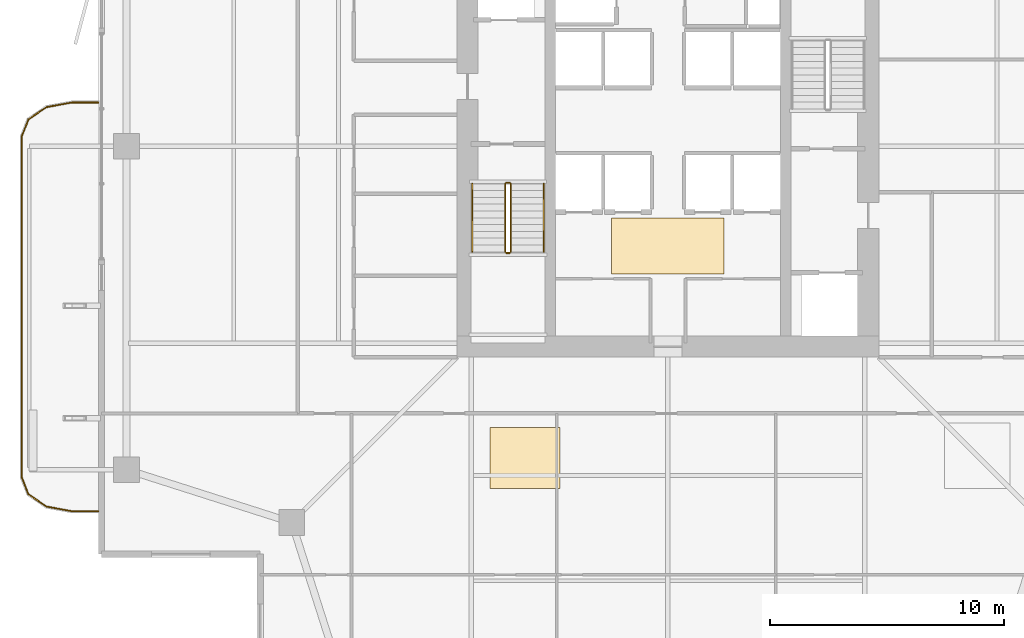
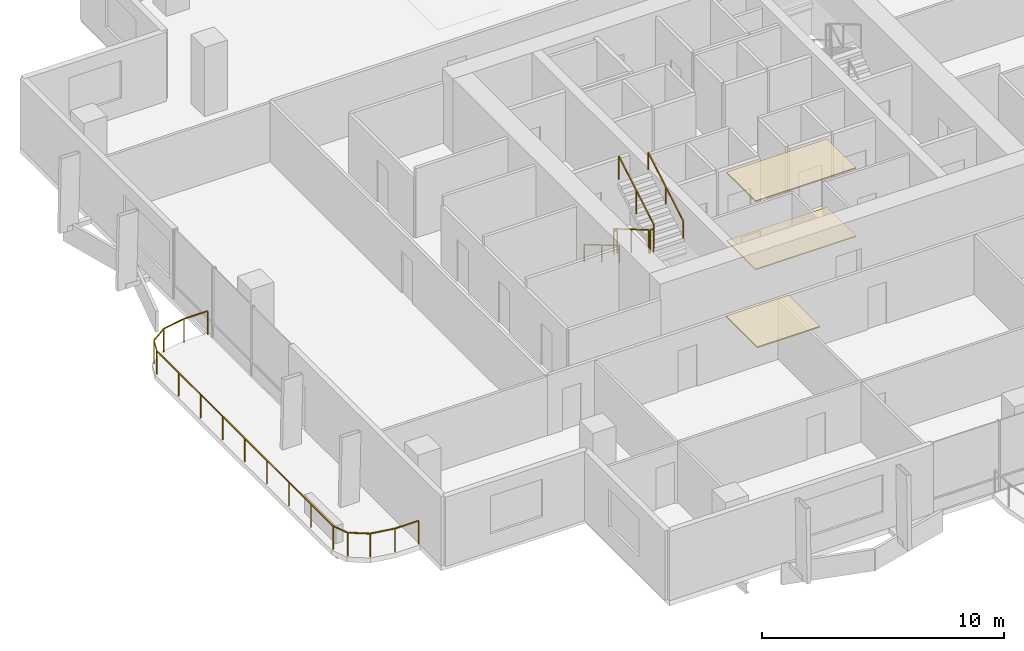
# One storey, part 22 of 24: 7 railings, 3 coverings.
"""IFC4 building model written with IfcOpenShell, lengths in metres."""

from ifc_helpers import new_model, si_unit, direction, frame, origin, origin_2d, place, context, subcontext, project, spatial, polyline, rectangle, outline, extrude, material, layer, layer_set, type_object, element, save


model = new_model("IFC4")

# Units and contexts
model_context = context("Model", 3, precision=1e-05, world=origin(), true_north=direction((0.0, 1.0)))
body_context = subcontext(model_context, "Body", "Model", "MODEL_VIEW")
ifc_project = project(units=[si_unit("LENGTHUNIT", "METRE"), si_unit("AREAUNIT", "SQUARE_METRE"), si_unit("VOLUMEUNIT", "CUBIC_METRE"), si_unit("PLANEANGLEUNIT", "RADIAN"), si_unit("MASSUNIT", "GRAM", prefix="KILO")], contexts=[model_context])

# Site, building, storey
site_placement = place(None, origin())
site = spatial("IfcSite", under=ifc_project, at=site_placement, CompositionType="ELEMENT")
building_placement = place(site_placement, origin())
building = spatial("IfcBuilding", under=site, at=building_placement, Name="Belovzor Exchange Tower", CompositionType="ELEMENT")
storey_placement = place(building_placement, frame((0.0, 0.0, 168.300048828125)))
storey = spatial("IfcBuildingStorey", under=building, at=storey_placement, Name="L41", CompositionType="ELEMENT", Elevation=168.300048828125)

# Railings
ifc_material_1 = material(Name="Stainless Steel Grade 304", Category="steel")
railing_type_1 = type_object("IfcRailingType", Name="Brushed Stainless Steel Stair Handrail 900", PredefinedType="HANDRAIL", material=ifc_material_1)
railing_1_placement = place(storey_placement, frame((20.449951171875, 27.199951171875, 0.17041015625)))
element("IfcRailing", 1, at=railing_1_placement, inside=storey, type_object=railing_type_1, Name="L41 ST-1 stair handrail 1", PredefinedType="HANDRAIL", context=body_context, shape_type="SweptSolid", body=[
    extrude(rectangle(XDim=0.048095703125, YDim=0.048095703125, at=origin_2d()), frame((0.0, 0.0, 0.8759765625), z_axis=(0.0, -0.86209462966, 0.506747323142), x_axis=(1.0, 0.0, 0.0)), (0.0, 0.0, 1.0), 3.36376953125),
    extrude(rectangle(XDim=0.0419921875, YDim=0.0419921875, at=origin_2d()), origin(), (0.0, 0.0, 1.0), 0.851806640625),
    extrude(rectangle(XDim=0.0419921875, YDim=0.0419921875, at=origin_2d()), frame((0.0, -1.449951171875, 0.852294921875)), (0.0, 0.0, 1.0), 0.851806640625),
    extrude(rectangle(XDim=0.0419921875, YDim=0.0419921875, at=origin_2d()), frame((0.0, -2.89990234375, 1.70458984375)), (0.0, 0.0, 1.0), 0.851806640625),
])
railing_2_placement = place(storey_placement, frame((23.5, 24.300048828125, 2.04541015625)))
element("IfcRailing", 2, at=railing_2_placement, inside=storey, type_object=railing_type_1, Name="L41 ST-1 stair handrail 2", PredefinedType="HANDRAIL", context=body_context, shape_type="SweptSolid", body=[
    extrude(rectangle(XDim=0.048095703125, YDim=0.048095703125, at=origin_2d()), frame((0.0, 0.0, 0.8759765625), z_axis=(0.0, 0.86209462966, 0.506747323142), x_axis=(-1.0, 0.0, 0.0)), (0.0, 0.0, 1.0), 3.36376953125),
    extrude(rectangle(XDim=0.0419921875, YDim=0.0419921875, at=origin_2d()), origin(), (0.0, 0.0, 1.0), 0.851806640625),
    extrude(rectangle(XDim=0.0419921875, YDim=0.0419921875, at=origin_2d()), frame((0.0, 1.449951171875, 0.852294921875)), (0.0, 0.0, 1.0), 0.851806640625),
    extrude(rectangle(XDim=0.0419921875, YDim=0.0419921875, at=origin_2d()), frame((0.0, 2.89990234375, 1.70458984375)), (0.0, 0.0, 1.0), 0.851806640625),
])
ifc_material_2 = material(Name="Stainless Steel and Laminated Safety Glass", Category="steel")
railing_type_2 = type_object("IfcRailingType", Name="Laminated Glass & Stainless Steel Balcony Balustrade 1200", PredefinedType="BALUSTRADE", material=ifc_material_2)
railing_3_placement = place(storey_placement, frame((4.489990234375, 30.669921875, 0.0)))
element("IfcRailing", 3, at=railing_3_placement, inside=storey, type_object=railing_type_2, Name="GR-1 Balcony Balustrade L41 West", PredefinedType="BALUSTRADE", context=body_context, shape_type="SweptSolid", body=[
    extrude(rectangle(XDim=0.048095703125, YDim=0.048095703125, at=origin_2d()), frame((0.0, 0.0, 1.17578125), z_axis=(-1.0, 0.0, 0.0), x_axis=(0.0, -1.0, 0.0)), (0.0, 0.0, 1.0), 1.133056640625),
    extrude(rectangle(XDim=0.048095703125, YDim=0.048095703125, at=origin_2d()), frame((-1.133056640625, 0.0, 1.17578125), z_axis=(-0.983644145941, -0.180122719713, 0.0), x_axis=(0.180122719713, -0.983644145941, 0.0)), (0.0, 0.0, 1.0), 1.09375),
    extrude(rectangle(XDim=0.048095703125, YDim=0.048095703125, at=origin_2d()), frame((-2.208984375, -0.197021484375, 1.17578125), z_axis=(-0.826614792125, -0.562768145367, 0.0), x_axis=(0.562768145367, -0.826614792125, 0.0)), (0.0, 0.0, 1.0), 0.9326171875),
    extrude(rectangle(XDim=0.048095703125, YDim=0.048095703125, at=origin_2d()), frame((-2.97998046875, -0.721923828125, 1.17578125), z_axis=(-0.365612923861, -0.930766990125, 0.0), x_axis=(0.930766990125, -0.365612923861, 0.0)), (0.0, 0.0, 1.0), 0.765869140625),
    extrude(rectangle(XDim=0.048095703125, YDim=0.048095703125, at=origin_2d()), frame((-3.260009765625, -1.434814453125, 1.17578125), z_axis=(0.0, -1.0, 0.0), x_axis=(1.0, 0.0, 0.0)), (0.0, 0.0, 1.0), 14.570068359375),
    extrude(rectangle(XDim=0.048095703125, YDim=0.048095703125, at=origin_2d()), frame((-3.260009765625, -16.0048828125, 1.17578125), z_axis=(0.365504480807, -0.930809580156, 0.0), x_axis=(0.930809580156, 0.365504480807, 0.0)), (0.0, 0.0, 1.0), 0.76611328125),
    extrude(rectangle(XDim=0.048095703125, YDim=0.048095703125, at=origin_2d()), frame((-2.97998046875, -16.718017578125, 1.17578125), z_axis=(0.826614792125, -0.562768145367, 0.0), x_axis=(0.562768145367, 0.826614792125, 0.0)), (0.0, 0.0, 1.0), 0.9326171875),
    extrude(rectangle(XDim=0.048095703125, YDim=0.048095703125, at=origin_2d()), frame((-2.208984375, -17.242919921875, 1.17578125), z_axis=(0.983644145941, -0.180122719713, 0.0), x_axis=(0.180122719713, 0.983644145941, 0.0)), (0.0, 0.0, 1.0), 1.09375),
    extrude(rectangle(XDim=0.048095703125, YDim=0.048095703125, at=origin_2d()), frame((-1.133056640625, -17.43994140625, 1.17578125), z_axis=(1.0, 0.0, 0.0), x_axis=(0.0, 1.0, 0.0)), (0.0, 0.0, 1.0), 1.133056640625),
    extrude(rectangle(XDim=0.0419921875, YDim=0.0419921875, at=origin_2d()), origin(), (0.0, 0.0, 1.0), 1.15185546875),
    extrude(rectangle(XDim=0.0419921875, YDim=0.0419921875, at=origin_2d()), frame((-1.133056640625, 0.0, 0.0)), (0.0, 0.0, 1.0), 1.15185546875),
    extrude(rectangle(XDim=0.0419921875, YDim=0.0419921875, at=origin_2d()), frame((-2.208984375, -0.197021484375, 0.0)), (0.0, 0.0, 1.0), 1.15185546875),
    extrude(rectangle(XDim=0.0419921875, YDim=0.0419921875, at=origin_2d()), frame((-2.97998046875, -0.721923828125, 0.0)), (0.0, 0.0, 1.0), 1.15185546875),
    extrude(rectangle(XDim=0.0419921875, YDim=0.0419921875, at=origin_2d()), frame((-3.260009765625, -1.434814453125, 0.0)), (0.0, 0.0, 1.0), 1.15185546875),
    extrude(rectangle(XDim=0.0419921875, YDim=0.0419921875, at=origin_2d()), frame((-3.260009765625, -3.256103515625, 0.0)), (0.0, 0.0, 1.0), 1.15185546875),
    extrude(rectangle(XDim=0.0419921875, YDim=0.0419921875, at=origin_2d()), frame((-3.260009765625, -5.077392578125, 0.0)), (0.0, 0.0, 1.0), 1.15185546875),
    extrude(rectangle(XDim=0.0419921875, YDim=0.0419921875, at=origin_2d()), frame((-3.260009765625, -6.898681640625, 0.0)), (0.0, 0.0, 1.0), 1.15185546875),
    extrude(rectangle(XDim=0.0419921875, YDim=0.0419921875, at=origin_2d()), frame((-3.260009765625, -8.7197265625, 0.0)), (0.0, 0.0, 1.0), 1.15185546875),
    extrude(rectangle(XDim=0.0419921875, YDim=0.0419921875, at=origin_2d()), frame((-3.260009765625, -10.541015625, 0.0)), (0.0, 0.0, 1.0), 1.15185546875),
    extrude(rectangle(XDim=0.0419921875, YDim=0.0419921875, at=origin_2d()), frame((-3.260009765625, -12.3623046875, 0.0)), (0.0, 0.0, 1.0), 1.15185546875),
    extrude(rectangle(XDim=0.0419921875, YDim=0.0419921875, at=origin_2d()), frame((-3.260009765625, -14.18359375, 0.0)), (0.0, 0.0, 1.0), 1.15185546875),
    extrude(rectangle(XDim=0.0419921875, YDim=0.0419921875, at=origin_2d()), frame((-3.260009765625, -16.0048828125, 0.0)), (0.0, 0.0, 1.0), 1.15185546875),
    extrude(rectangle(XDim=0.0419921875, YDim=0.0419921875, at=origin_2d()), frame((-2.97998046875, -16.718017578125, 0.0)), (0.0, 0.0, 1.0), 1.15185546875),
    extrude(rectangle(XDim=0.0419921875, YDim=0.0419921875, at=origin_2d()), frame((-2.208984375, -17.242919921875, 0.0)), (0.0, 0.0, 1.0), 1.15185546875),
    extrude(rectangle(XDim=0.0419921875, YDim=0.0419921875, at=origin_2d()), frame((-1.133056640625, -17.43994140625, 0.0)), (0.0, 0.0, 1.0), 1.15185546875),
    extrude(rectangle(XDim=0.0419921875, YDim=0.0419921875, at=origin_2d()), frame((0.0, -17.43994140625, 0.0)), (0.0, 0.0, 1.0), 1.15185546875),
])
ifc_material_3 = material(Name="Steel S355", Category="steel")
railing_type_3 = type_object("IfcRailingType", Name="Painted Steel Stairwell Guardrail 1200", PredefinedType="GUARDRAIL", material=ifc_material_3)
railing_4_placement = place(storey_placement, frame((21.85009765625, 27.199951171875, 0.17041015625)))
element("IfcRailing", 4, at=railing_4_placement, inside=storey, type_object=railing_type_3, Name="L41 ST-1 stair guard 1", PredefinedType="GUARDRAIL", context=body_context, shape_type="SweptSolid", body=[
    extrude(rectangle(XDim=0.048095703125, YDim=0.048095703125, at=origin_2d()), frame((0.0, 0.0, 1.17578125), z_axis=(0.0, -0.86209462966, 0.506747323142), x_axis=(1.0, 0.0, 0.0)), (0.0, 0.0, 1.0), 3.36376953125),
    extrude(rectangle(XDim=0.0419921875, YDim=0.0419921875, at=origin_2d()), origin(), (0.0, 0.0, 1.0), 1.15185546875),
    extrude(rectangle(XDim=0.0419921875, YDim=0.0419921875, at=origin_2d()), frame((0.0, -1.449951171875, 0.852294921875)), (0.0, 0.0, 1.0), 1.15185546875),
    extrude(rectangle(XDim=0.0419921875, YDim=0.0419921875, at=origin_2d()), frame((0.0, -2.89990234375, 1.70458984375)), (0.0, 0.0, 1.0), 1.15185546875),
])
railing_5_placement = place(storey_placement, frame((21.89990234375, 24.25, 1.875)))
element("IfcRailing", 5, at=railing_5_placement, inside=storey, type_object=railing_type_3, Name="L41 ST-1 stair guard 2", PredefinedType="GUARDRAIL", context=body_context, shape_type="SweptSolid", body=[
    extrude(rectangle(XDim=0.048095703125, YDim=0.048095703125, at=origin_2d()), frame((0.0, 0.0, 1.17578125), z_axis=(1.0, 0.0, 0.0), x_axis=(0.0, 1.0, 0.0)), (0.0, 0.0, 1.0), 0.150146484375),
    extrude(rectangle(XDim=0.0419921875, YDim=0.0419921875, at=origin_2d()), origin(), (0.0, 0.0, 1.0), 1.15185546875),
    extrude(rectangle(XDim=0.0419921875, YDim=0.0419921875, at=origin_2d()), frame((0.150146484375, 0.0, 0.0)), (0.0, 0.0, 1.0), 1.15185546875),
])
railing_6_placement = place(storey_placement, frame((22.10009765625, 24.300048828125, 2.04541015625)))
element("IfcRailing", 6, at=railing_6_placement, inside=storey, type_object=railing_type_3, Name="L41 ST-1 stair guard 3", PredefinedType="GUARDRAIL", context=body_context, shape_type="SweptSolid", body=[
    extrude(rectangle(XDim=0.048095703125, YDim=0.048095703125, at=origin_2d()), frame((0.0, 0.0, 1.17578125), z_axis=(0.0, 0.86209462966, 0.506747323142), x_axis=(-1.0, 0.0, 0.0)), (0.0, 0.0, 1.0), 3.36376953125),
    extrude(rectangle(XDim=0.0419921875, YDim=0.0419921875, at=origin_2d()), origin(), (0.0, 0.0, 1.0), 1.15185546875),
    extrude(rectangle(XDim=0.0419921875, YDim=0.0419921875, at=origin_2d()), frame((0.0, 1.449951171875, 0.852294921875)), (0.0, 0.0, 1.0), 1.15185546875),
    extrude(rectangle(XDim=0.0419921875, YDim=0.0419921875, at=origin_2d()), frame((0.0, 2.89990234375, 1.70458984375)), (0.0, 0.0, 1.0), 1.15185546875),
])
railing_7_placement = place(storey_placement, frame((21.89990234375, 27.25, 0.0)))
element("IfcRailing", 7, at=railing_7_placement, inside=storey, type_object=railing_type_3, Name="L41 ST-1 stair guard 4", PredefinedType="GUARDRAIL", context=body_context, shape_type="SweptSolid", body=[
    extrude(rectangle(XDim=0.048095703125, YDim=0.048095703125, at=origin_2d()), frame((0.0, 0.0, 1.17578125), z_axis=(1.0, 0.0, 0.0), x_axis=(0.0, 1.0, 0.0)), (0.0, 0.0, 1.0), 0.150146484375),
    extrude(rectangle(XDim=0.0419921875, YDim=0.0419921875, at=origin_2d()), origin(), (0.0, 0.0, 1.0), 1.15185546875),
    extrude(rectangle(XDim=0.0419921875, YDim=0.0419921875, at=origin_2d()), frame((0.150146484375, 0.0, 0.0)), (0.0, 0.0, 1.0), 1.15185546875),
])

# Coverings
ifc_material_4 = material(Name="Perforated Powder-Coated Aluminium", Category="aluminium")
ifc_layer_1 = layer(ifc_material_4, 0.06005859375)
ifc_layer_set_1 = layer_set([ifc_layer_1], Name="Perforated Powder-Coated Aluminium")
covering_type_1 = type_object("IfcCoveringType", Name="Perforated Acoustic Metal Tile Suspended Ceiling 60", PredefinedType="CEILING", material=ifc_layer_set_1)
covering_1_placement = place(storey_placement, frame((0.0, 0.0, 3.43505859375)))
element("IfcCovering", 8, at=covering_1_placement, inside=storey, type_object=covering_type_1, Name="CLG-AC60 Suspended Ceiling CLG-L41-LOB", PredefinedType="CEILING", context=body_context, shape_type="SweptSolid", body=[
    extrude(outline(polyline([(26.39990234375, 23.35009765625), (31.199951171875, 23.35009765625), (31.199951171875, 25.75), (26.39990234375, 25.75), (26.39990234375, 23.35009765625)])), origin(), (0.0, 0.0, 1.0), 0.059814453125),
])
covering_2_placement = place(storey_placement, frame((0.0, 0.0, 3.43505859375)))
element("IfcCovering", 9, at=covering_2_placement, inside=storey, type_object=covering_type_1, Name="CLG-AC60 Suspended Ceiling CLG-L41-Z0", PredefinedType="CEILING", context=body_context, shape_type="SweptSolid", body=[
    extrude(outline(polyline([(21.199951171875, 14.199951171875), (24.199951171875, 14.199951171875), (24.199951171875, 16.800048828125), (21.199951171875, 16.800048828125), (21.199951171875, 14.199951171875)])), origin(), (0.0, 0.0, 1.0), 0.059814453125),
])
ifc_material_5 = material(Name="Polished Natural Granite Tile", Category="masonry")
ifc_layer_2 = layer(ifc_material_5, 0.050048828125)
ifc_layer_set_2 = layer_set([ifc_layer_2], Name="Polished Natural Granite Tile")
covering_type_2 = type_object("IfcCoveringType", Name="Polished Karelian Granite & Raised Access Floor Finish 50", PredefinedType="FLOORING", material=ifc_layer_set_2)
covering_3_placement = place(storey_placement, origin())
element("IfcCovering", 10, at=covering_3_placement, inside=storey, type_object=covering_type_2, Name="FLR-GR50 Floor Finish FLR-L41-LOB", PredefinedType="FLOORING", context=body_context, shape_type="SweptSolid", body=[
    extrude(outline(polyline([(26.39990234375, 23.35009765625), (31.199951171875, 23.35009765625), (31.199951171875, 25.75), (26.39990234375, 25.75), (26.39990234375, 23.35009765625)])), origin(), (0.0, 0.0, 1.0), 0.050048828125),
])

save(model, "model.ifc")
